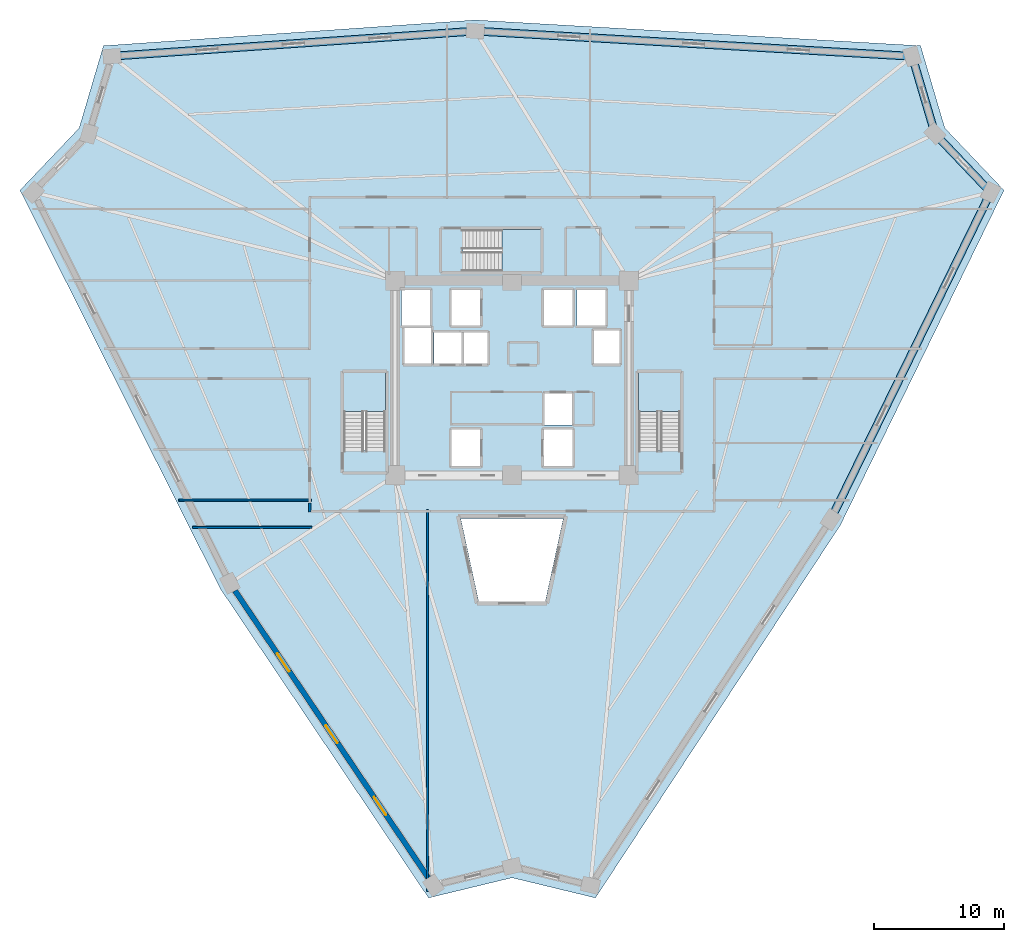
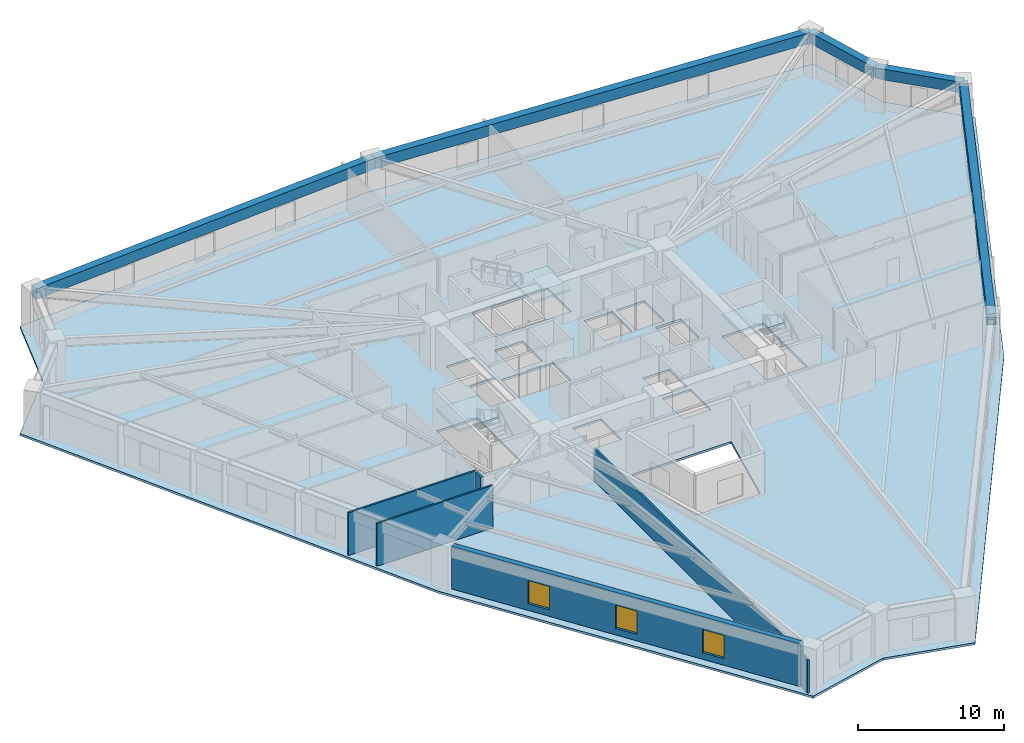
# One storey, part 2 of 8: 5 beams, 5 walls, 4 slabs, 3 windows, 3 openings, 3 elements without a shape of their own.
"""IFC4 building model written with IfcOpenShell, lengths in metres."""

from ifc_helpers import new_model, si_unit, direction, frame, frame_2d, origin, origin_2d, place, context, subcontext, project, spatial, polyline, rectangle, outline, extrude, source, transform, mapped, material, layer, layer_set, material_profile, profile_set, type_object, element, fill, aggregate, save


model = new_model("IFC4")

# Units and contexts
model_context = context("Model", 3, precision=1e-05, world=origin(), true_north=direction((0.0, 1.0)))
body_context = subcontext(model_context, "Body", "Model", "MODEL_VIEW")
ifc_project = project(units=[si_unit("LENGTHUNIT", "METRE"), si_unit("AREAUNIT", "SQUARE_METRE"), si_unit("VOLUMEUNIT", "CUBIC_METRE"), si_unit("PLANEANGLEUNIT", "RADIAN"), si_unit("MASSUNIT", "GRAM", prefix="KILO")], contexts=[model_context])

# Site, building, storey
site_placement = place(None, origin())
site = spatial("IfcSite", under=ifc_project, at=site_placement, CompositionType="ELEMENT")
building_placement = place(site_placement, origin())
building = spatial("IfcBuilding", under=site, at=building_placement, Name="Liaohun Quay Tower", CompositionType="ELEMENT")
storey_placement = place(building_placement, frame((0.0, 0.0, 105.75)))
storey = spatial("IfcBuildingStorey", under=building, at=storey_placement, Name="L27", CompositionType="ELEMENT", Elevation=105.75)

# Beams
ifc_material_1 = material(Name="Precast concrete C55", Category="concrete")
ifc_material_profile = material_profile(ifc_material_1, rectangle(XDim=0.60009765625, YDim=0.89990234375, at=origin_2d()), Name="RC600x900")
ifc_profile_set = profile_set([ifc_material_profile], Name="Precast concrete C55")
beam_type = type_object("IfcBeamType", Name="BM-SPD-Z2", PredefinedType="SPANDREL", material=ifc_profile_set)
shared_shape_1 = source(origin(), body_context, "Body", "SweptSolid", [
    extrude(rectangle(XDim=0.60009765625, YDim=0.89990234375, at=origin_2d()), origin(), (0.0, 0.0, 1.0), 33.677001953125),
])
beam_1_placement = place(storey_placement, frame((57.175048828125, 80.697021484375, 3.1201171875), z_axis=(0.998334044407, -0.057698663574, 0.0), x_axis=(0.057698663574, 0.998334044407, 0.0)))
element("IfcBeam", 1, at=beam_1_placement, inside=storey, type_object=beam_type, Name="L27 Precast Spandrel Beam PC06-PC07", PredefinedType="SPANDREL", context=body_context, shape_type="MappedRepresentation", body=[
    mapped(shared_shape_1, transform((0.0, 0.0, 0.0), x_axis=(1.0, 0.0, 0.0), y_axis=(0.0, 1.0, 0.0), z_axis=(0.0, 0.0, 1.0), scale=1.0)),
])
shared_shape_2 = source(origin(), body_context, "Body", "SweptSolid", [
    extrude(rectangle(XDim=0.60009765625, YDim=0.89990234375, at=origin_2d()), origin(), (0.0, 0.0, 1.0), 28.035888671875),
])
beam_2_placement = place(storey_placement, frame((29.2060546875, 78.760986328125, 3.1201171875), z_axis=(0.997612818127, 0.069055521929, 0.0), x_axis=(-0.069055521929, 0.997612818127, 0.0)))
element("IfcBeam", 2, at=beam_2_placement, inside=storey, type_object=beam_type, Name="L27 Precast Spandrel Beam PC05-PC06", PredefinedType="SPANDREL", context=body_context, shape_type="MappedRepresentation", body=[
    mapped(shared_shape_2, transform((0.0, 0.0, 0.0), x_axis=(1.0, 0.0, 0.0), y_axis=(0.0, 1.0, 0.0), z_axis=(0.0, 0.0, 1.0), scale=1.0)),
])
shared_shape_3 = source(origin(), body_context, "Body", "SweptSolid", [
    extrude(rectangle(XDim=0.60009765625, YDim=0.89990234375, at=origin_2d()), origin(), (0.0, 0.0, 1.0), 6.213623046875),
])
beam_3_placement = place(storey_placement, frame((90.7958984375, 78.75390625, 3.1201171875), z_axis=(0.282781040637, -0.95918448854, 0.0), x_axis=(0.95918448854, 0.282781040637, 0.0)))
element("IfcBeam", 3, at=beam_3_placement, inside=storey, type_object=beam_type, Name="L27 Precast Spandrel Beam PC07-PC08", PredefinedType="SPANDREL", context=body_context, shape_type="MappedRepresentation", body=[
    mapped(shared_shape_3, transform((0.0, 0.0, 0.0), x_axis=(1.0, 0.0, 0.0), y_axis=(0.0, 1.0, 0.0), z_axis=(0.0, 0.0, 1.0), scale=1.0)),
])
shared_shape_4 = source(origin(), body_context, "Body", "SweptSolid", [
    extrude(rectangle(XDim=0.60009765625, YDim=0.89990234375, at=origin_2d()), origin(), (0.0, 0.0, 1.0), 6.22021484375),
])
beam_4_placement = place(storey_placement, frame((92.552978515625, 72.7939453125, 3.1201171875), z_axis=(0.689384622257, -0.724395501502, 0.0), x_axis=(0.724395501502, 0.689384622257, 0.0)))
element("IfcBeam", 4, at=beam_4_placement, inside=storey, type_object=beam_type, Name="L27 Precast Spandrel Beam PC08-PC09", PredefinedType="SPANDREL", context=body_context, shape_type="MappedRepresentation", body=[
    mapped(shared_shape_4, transform((0.0, 0.0, 0.0), x_axis=(1.0, 0.0, 0.0), y_axis=(0.0, 1.0, 0.0), z_axis=(0.0, 0.0, 1.0), scale=1.0)),
])
shared_shape_5 = source(origin(), body_context, "Body", "SweptSolid", [
    extrude(rectangle(XDim=0.60009765625, YDim=0.89990234375, at=origin_2d()), origin(), (0.0, 0.0, 1.0), 28.036376953125),
])
beam_5_placement = place(storey_placement, frame((96.841064453125, 68.2880859375, 3.1201171875), z_axis=(-0.43900583459, -0.898484210877, 0.0), x_axis=(0.898484210877, -0.43900583459, 0.0)))
element("IfcBeam", 5, at=beam_5_placement, inside=storey, type_object=beam_type, Name="L27 Precast Spandrel Beam PC09-PC10", PredefinedType="SPANDREL", context=body_context, shape_type="MappedRepresentation", body=[
    mapped(shared_shape_5, transform((0.0, 0.0, 0.0), x_axis=(1.0, 0.0, 0.0), y_axis=(0.0, 1.0, 0.0), z_axis=(0.0, 0.0, 1.0), scale=1.0)),
])

# Stair, slab
ifc_material_2 = material(Name="Concrete C45", Category="concrete")
stair_type = type_object("IfcStairType", Name="STR-CORE-OFF", PredefinedType="HALF_TURN_STAIR", material=ifc_material_2)
stair_1_placement = place(storey_placement, origin())
stair_1 = element("IfcStair", 6, at=stair_1_placement, inside=storey, type_object=stair_type, Name="L27 Smokeproof Core Exit Stair ST-1", PredefinedType="HALF_TURN_STAIR")
ifc_layer_1 = layer(ifc_material_2, 0.199951171875, Name="Concrete C45", Category="concrete")
ifc_layer_set_1 = layer_set([ifc_layer_1], Name="Concrete C45")
slab_type_1 = type_object("IfcSlabType", Name="SLB-LND-200", PredefinedType="LANDING", material=ifc_layer_set_1)
slab_1_placement = place(storey_placement, frame((0.0, 0.0, 1.675048828125)))
slab_1 = element("IfcSlab", 7, at=slab_1_placement, type_object=slab_type_1, Name="ST-1 landing 1", PredefinedType="LANDING", context=body_context, shape_type="SweptSolid", body=[
    extrude(outline(polyline([(50.280029296875, 51.429931640625), (50.280029296875, 54.419921875), (47.0400390625, 54.419921875), (47.0400390625, 51.429931640625), (50.280029296875, 51.429931640625)])), origin(), (0.0, 0.0, 1.0), 0.199951171875),
])
aggregate(stair_1, [slab_1])

stair_2_placement = place(storey_placement, origin())
stair_2 = element("IfcStair", 8, at=stair_2_placement, inside=storey, type_object=stair_type, Name="L27 Smokeproof Core Exit Stair ST-2", PredefinedType="HALF_TURN_STAIR")
slab_2_placement = place(storey_placement, frame((0.0, 0.0, 1.675048828125)))
slab_2 = element("IfcSlab", 9, at=slab_2_placement, type_object=slab_type_1, Name="ST-2 landing 1", PredefinedType="LANDING", context=body_context, shape_type="SweptSolid", body=[
    extrude(outline(polyline([(72.9599609375, 51.429931640625), (72.9599609375, 54.419921875), (69.719970703125, 54.419921875), (69.719970703125, 51.429931640625), (72.9599609375, 51.429931640625)])), origin(), (0.0, 0.0, 1.0), 0.199951171875),
])
aggregate(stair_2, [slab_2])

stair_3_placement = place(storey_placement, origin())
stair_3 = element("IfcStair", 10, at=stair_3_placement, inside=storey, type_object=stair_type, Name="L27 Smokeproof Core Exit Stair ST-3", PredefinedType="HALF_TURN_STAIR")
slab_3_placement = place(storey_placement, frame((0.0, 0.0, 1.675048828125)))
slab_3 = element("IfcSlab", 11, at=slab_3_placement, type_object=slab_type_1, Name="ST-3 landing 1", PredefinedType="LANDING", context=body_context, shape_type="SweptSolid", body=[
    extrude(outline(polyline([(59.22998046875, 62.199951171875), (62.219970703125, 62.199951171875), (62.219970703125, 65.43994140625), (59.22998046875, 65.43994140625), (59.22998046875, 62.199951171875)])), origin(), (0.0, 0.0, 1.0), 0.199951171875),
])
aggregate(stair_3, [slab_3])

# Slab
ifc_layer_2 = layer(ifc_material_2, 0.179931640625, Name="Concrete C45", Category="concrete")
ifc_layer_set_2 = layer_set([ifc_layer_2], Name="Concrete C45")
slab_type_2 = type_object("IfcSlabType", Name="SLB-OFF-180", PredefinedType="FLOOR", material=ifc_layer_set_2)
slab_4_placement = place(storey_placement, frame((0.0, 0.0, -0.179931640625)))
element("IfcSlab", 12, at=slab_4_placement, inside=storey, type_object=slab_type_2, Name="L27 Structural Floor Slab", PredefinedType="FLOOR", context=body_context, shape_type="SweptSolid", body=[
    extrude(outline(polyline([(53.5791015625, 13.986083984375), (60.0, 15.537109375), (66.4208984375, 13.986083984375), (85.27294921875, 42.676025390625), (97.864013671875, 68.446044921875), (93.31005859375, 73.23095703125), (91.44189453125, 79.568115234375), (57.169921875, 81.549072265625), (28.55810546875, 79.568115234375), (26.68994140625, 73.23095703125), (22.135986328125, 68.446044921875), (37.556884765625, 37.77490234375), (53.5791015625, 13.986083984375)]), holes=[polyline([(57.56005859375, 50.030029296875), (55.340087890625, 50.030029296875), (55.340087890625, 47.2099609375), (57.56005859375, 47.2099609375), (57.56005859375, 50.030029296875)]), polyline([(50.280029296875, 54.419921875), (47.0400390625, 54.419921875), (47.0400390625, 48.409912109375), (50.280029296875, 48.409912109375), (50.280029296875, 54.419921875)]), polyline([(53.989990234375, 55.090087890625), (58.110107421875, 55.090087890625), (58.110107421875, 57.510009765625), (53.989990234375, 57.510009765625), (53.989990234375, 55.090087890625)]), polyline([(53.760009765625, 55.090087890625), (53.760009765625, 57.909912109375), (51.7099609375, 57.909912109375), (51.7099609375, 55.090087890625), (53.760009765625, 55.090087890625)]), polyline([(53.7099609375, 58.0400390625), (53.7099609375, 60.7900390625), (51.489990234375, 60.7900390625), (51.489990234375, 58.0400390625), (53.7099609375, 58.0400390625)]), polyline([(57.56005859375, 58.0400390625), (57.56005859375, 60.7900390625), (55.340087890625, 60.7900390625), (55.340087890625, 58.0400390625), (57.56005859375, 58.0400390625)]), polyline([(62.219970703125, 62.199951171875), (62.219970703125, 65.43994140625), (56.2099609375, 65.43994140625), (56.2099609375, 62.199951171875), (62.219970703125, 62.199951171875)]), polyline([(62.56591796875, 36.80810546875), (63.947998046875, 43.199951171875), (56.052001953125, 43.199951171875), (57.43408203125, 36.80810546875), (62.56591796875, 36.80810546875)]), polyline([(64.659912109375, 47.2099609375), (64.659912109375, 50.030029296875), (62.43994140625, 50.030029296875), (62.43994140625, 47.2099609375), (64.659912109375, 47.2099609375)]), polyline([(72.9599609375, 54.419921875), (69.719970703125, 54.419921875), (69.719970703125, 48.409912109375), (72.9599609375, 48.409912109375), (72.9599609375, 54.419921875)]), polyline([(64.610107421875, 50.389892578125), (64.610107421875, 52.81005859375), (62.489990234375, 52.81005859375), (62.489990234375, 50.389892578125), (64.610107421875, 50.389892578125)]), polyline([(68.2900390625, 55.090087890625), (68.2900390625, 57.659912109375), (66.2900390625, 57.659912109375), (66.2900390625, 55.090087890625), (68.2900390625, 55.090087890625)]), polyline([(64.659912109375, 58.0400390625), (64.659912109375, 60.7900390625), (62.43994140625, 60.7900390625), (62.43994140625, 58.0400390625), (64.659912109375, 58.0400390625)]), polyline([(67.2099609375, 58.0400390625), (67.2099609375, 60.7900390625), (64.989990234375, 60.7900390625), (64.989990234375, 58.0400390625), (67.2099609375, 58.0400390625)])]), origin(), (0.0, 0.0, 1.0), 0.179931640625),
])

# Wall, openings, windows
ifc_material_3 = material(Name="Precast concrete C50 insulated sandwich", Category="concrete")
ifc_layer_3 = layer(ifc_material_3, 0.419921875, Name="Precast concrete C50 insulated sandwich", Category="concrete")
ifc_layer_set_3 = layer_set([ifc_layer_3], Name="Precast concrete C50 insulated sandwich")
wall_type_1 = type_object("IfcWallType", Name="WAL-EXT-Z12", PredefinedType="SOLIDWALL", material=ifc_layer_set_3)
wall_1_placement = place(storey_placement, frame((38.677001953125, 37.633056640625, 0.0), z_axis=(0.0, 0.0, 1.0), x_axis=(0.558641911568, -0.829408955004, 0.0)))
wall_1 = element("IfcWall", 13, at=wall_1_placement, inside=storey, type_object=wall_type_1, Name="L27 Brutalist Precast Pier Wall 11", PredefinedType="SOLIDWALL", context=body_context, shape_type="SweptSolid", body=[
    extrude(rectangle(XDim=26.65771484375, YDim=0.419921875, at=frame_2d((13.328857421875, 0.0))), origin(), (0.0, 0.0, 1.0), 3.570068359375),
])
shared_shape_6 = source(origin(), body_context, "Body", "SweptSolid", [
    extrude(rectangle(XDim=1.64990234375, YDim=1.949951171875, at=frame_2d((0.824951171875, 0.97509765625))), frame((0.0, 0.219970703125, 0.0), z_axis=(0.0, -1.0, 0.0), x_axis=(1.0, 0.0, 0.0)), (0.0, 0.0, 1.0), 0.43994140625),
])
opening_1_placement = place(wall_1_placement, frame((5.839111328125, 0.0, 0.550048828125)))
opening_1 = element("IfcOpeningElement", 14, at=opening_1_placement, cuts=wall_1, Name="Opening W02", PredefinedType="OPENING", context=body_context, shape_type="MappedRepresentation", body=[
    mapped(shared_shape_6, transform((0.0, 0.0, 0.0), x_axis=(1.0, 0.0, 0.0), y_axis=(0.0, 1.0, 0.0), z_axis=(0.0, 0.0, 1.0), scale=1.0)),
])
opening_2_placement = place(wall_1_placement, frame((12.50390625, 0.0, 0.550048828125)))
opening_2 = element("IfcOpeningElement", 15, at=opening_2_placement, cuts=wall_1, Name="Opening W02", PredefinedType="OPENING", context=body_context, shape_type="MappedRepresentation", body=[
    mapped(shared_shape_6, transform((0.0, 0.0, 0.0), x_axis=(1.0, 0.0, 0.0), y_axis=(0.0, 1.0, 0.0), z_axis=(0.0, 0.0, 1.0), scale=1.0)),
])
opening_3_placement = place(wall_1_placement, frame((19.16796875, 0.0, 0.550048828125)))
opening_3 = element("IfcOpeningElement", 16, at=opening_3_placement, cuts=wall_1, Name="Opening W02", PredefinedType="OPENING", context=body_context, shape_type="MappedRepresentation", body=[
    mapped(shared_shape_6, transform((0.0, 0.0, 0.0), x_axis=(1.0, 0.0, 0.0), y_axis=(0.0, 1.0, 0.0), z_axis=(0.0, 0.0, 1.0), scale=1.0)),
])
ifc_material_4 = material(Name="Triple Low-E argon glazing in thermally broken aluminium", Category="aluminium")
window_type = type_object("IfcWindowType", Name="WIN-PUN-Z2", PartitioningType="DOUBLE_PANEL_VERTICAL", PredefinedType="WINDOW", material=ifc_material_4)
shared_shape_7 = source(origin(), body_context, "Body", "SweptSolid", [
    extrude(rectangle(XDim=1.64990234375, YDim=1.949951171875, at=frame_2d((0.824951171875, 0.97509765625))), frame((0.0, 0.030029296875, 0.0), z_axis=(0.0, -1.0, 0.0), x_axis=(1.0, 0.0, 0.0)), (0.0, 0.0, 1.0), 0.06005859375),
])
window_1_placement = place(opening_1_placement, origin())
window_1 = element("IfcWindow", 17, at=window_1_placement, inside=storey, type_object=window_type, Name="L27 Recessed Cold-Climate Punched Window 11-1", OverallHeight=1.949951171875, OverallWidth=1.64990234375, PartitioningType="DOUBLE_PANEL_VERTICAL", PredefinedType="WINDOW", context=body_context, shape_type="MappedRepresentation", body=[
    mapped(shared_shape_7, transform((0.0, 0.0, 0.0), x_axis=(1.0, 0.0, 0.0), y_axis=(0.0, 1.0, 0.0), z_axis=(0.0, 0.0, 1.0), scale=1.0)),
])
fill(opening_1, window_1)
window_2_placement = place(opening_2_placement, origin())
window_2 = element("IfcWindow", 18, at=window_2_placement, inside=storey, type_object=window_type, Name="L27 Recessed Cold-Climate Punched Window 11-2", OverallHeight=1.949951171875, OverallWidth=1.64990234375, PartitioningType="DOUBLE_PANEL_VERTICAL", PredefinedType="WINDOW", context=body_context, shape_type="MappedRepresentation", body=[
    mapped(shared_shape_7, transform((0.0, 0.0, 0.0), x_axis=(1.0, 0.0, 0.0), y_axis=(0.0, 1.0, 0.0), z_axis=(0.0, 0.0, 1.0), scale=1.0)),
])
fill(opening_2, window_2)
window_3_placement = place(opening_3_placement, origin())
window_3 = element("IfcWindow", 19, at=window_3_placement, inside=storey, type_object=window_type, Name="L27 Recessed Cold-Climate Punched Window 11-3", OverallHeight=1.949951171875, OverallWidth=1.64990234375, PartitioningType="DOUBLE_PANEL_VERTICAL", PredefinedType="WINDOW", context=body_context, shape_type="MappedRepresentation", body=[
    mapped(shared_shape_7, transform((0.0, 0.0, 0.0), x_axis=(1.0, 0.0, 0.0), y_axis=(0.0, 1.0, 0.0), z_axis=(0.0, 0.0, 1.0), scale=1.0)),
])
fill(opening_3, window_3)

# Walls
ifc_material_5 = material(Name="Autoclaved aerated concrete blockwork", Category="masonry")
ifc_layer_4 = layer(ifc_material_5, 0.179931640625, Name="Autoclaved aerated concrete blockwork", Category="masonry")
ifc_layer_set_4 = layer_set([ifc_layer_4], Name="Autoclaved aerated concrete blockwork")
wall_type_2 = type_object("IfcWallType", Name="WAL-PRT-COR", PredefinedType="PARTITIONING", material=ifc_layer_set_4)
wall_2_placement = place(storey_placement, frame((44.43994140625, 43.669921875, 0.0), z_axis=(0.0, 0.0, 1.0), x_axis=(0.0, 1.0, 0.0)))
element("IfcWall", 20, at=wall_2_placement, inside=storey, type_object=wall_type_2, Name="L27 Interior Partition Wall 042", PredefinedType="PARTITIONING", context=body_context, shape_type="SweptSolid", body=[
    extrude(rectangle(XDim=0.715087890625, YDim=0.179931640625, at=frame_2d((0.357421875, 0.0))), origin(), (0.0, 0.0, 1.0), 3.570068359375),
])
ifc_material_6 = material(Name="Gypsum board on twin steel studs", Category="steel")
ifc_layer_5 = layer(ifc_material_6, 0.139892578125, Name="Gypsum board on twin steel studs", Category="steel")
ifc_layer_set_5 = layer_set([ifc_layer_5], Name="Gypsum board on twin steel studs")
wall_type_3 = type_object("IfcWallType", Name="WAL-PRT-OFF", PredefinedType="PARTITIONING", material=ifc_layer_set_5)
wall_3_placement = place(storey_placement, frame((44.60009765625, 42.5, 0.0), z_axis=(0.0, 0.0, 1.0), x_axis=(-1.0, 0.0, 0.0)))
element("IfcWall", 21, at=wall_3_placement, inside=storey, type_object=wall_type_3, Name="L27 Interior Partition Wall 045", PredefinedType="PARTITIONING", context=body_context, shape_type="SweptSolid", body=[
    extrude(rectangle(XDim=9.172119140625, YDim=0.139892578125, at=frame_2d((4.5859375, 0.0))), origin(), (0.0, 0.0, 1.0), 3.570068359375),
])
wall_4_placement = place(storey_placement, frame((44.5400390625, 44.60009765625, 0.0), z_axis=(0.0, 0.0, 1.0), x_axis=(-1.0, 0.0, 0.0)))
element("IfcWall", 22, at=wall_4_placement, inside=storey, type_object=wall_type_3, Name="L27 Interior Partition Wall 046", PredefinedType="PARTITIONING", context=body_context, shape_type="SweptSolid", body=[
    extrude(rectangle(XDim=10.16796875, YDim=0.139892578125, at=frame_2d((5.083984375, 0.0))), origin(), (0.0, 0.0, 1.0), 3.570068359375),
])
wall_5_placement = place(storey_placement, frame((53.5, 43.840087890625, 0.0), z_axis=(0.0, 0.0, 1.0), x_axis=(0.0, -1.0, 0.0)))
element("IfcWall", 23, at=wall_5_placement, inside=storey, type_object=wall_type_3, Name="L27 Interior Partition Wall 055", PredefinedType="PARTITIONING", context=body_context, shape_type="SweptSolid", body=[
    extrude(rectangle(XDim=29.343017578125, YDim=0.139892578125, at=frame_2d((14.67138671875, 0.0))), origin(), (0.0, 0.0, 1.0), 2.7548828125),
])

save(model, "model.ifc")
